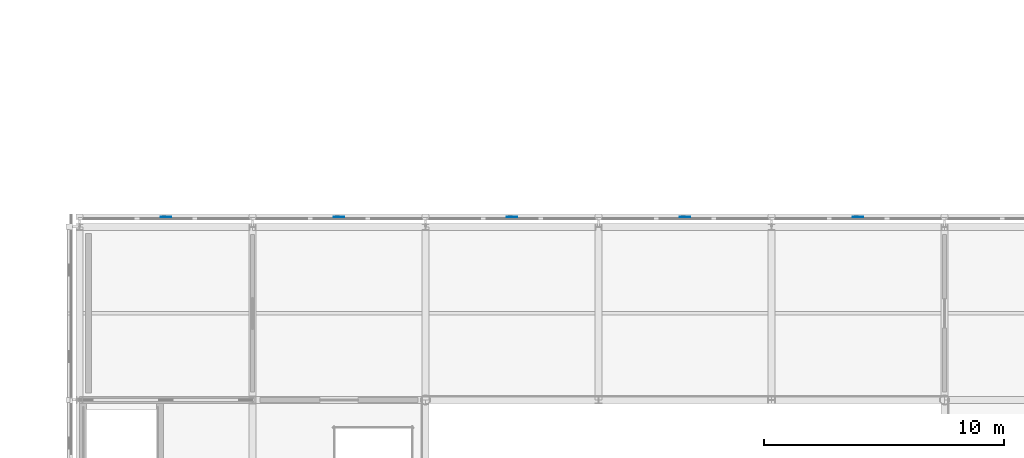
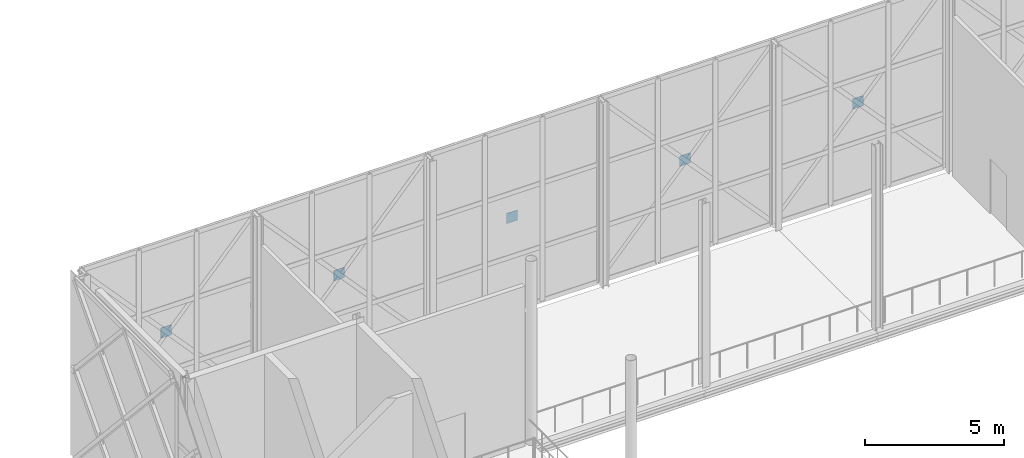
# One storey, part 61 of 76: 5 plates.
"""IFC4 building model written with IfcOpenShell, lengths in metres."""

import ifcopenshell
import ifcopenshell.guid

model = None  # the IFC model being written
_history = None  # IfcOwnerHistory: only IFC2X3 demands one
_inside = {}  # id of a spatial element -> (the spatial element, [elements in it])
_under = {}  # id of a project, library or spatial element -> (it, [spatial elements below it])
_declared = {}  # id of a project -> (the project, [libraries it declares])
_typed = {}  # id of a type object -> (the type object, [elements of that type])
_made_of = {}  # id of a material, layer set ... -> (it, [elements and type objects made of it])


def new_model(schema):
    """Start an empty IFC model of exactly this schema.

    Asked for "IFC4X3", IfcOpenShell would pick the latest addendum, in which some entities
    have other attributes; the version numbers below select the first issue.
    IFC2X3 requires an IfcOwnerHistory on every rooted entity: one is made here for all.
    """
    global model, _history
    if schema == "IFC4X3":
        model = ifcopenshell.file(schema_version=(4, 3, 0, 0))
    else:
        model = ifcopenshell.file(schema=schema)
    _inside.clear()
    _under.clear()
    _declared.clear()
    _typed.clear()
    _made_of.clear()
    _history = None
    if model.schema == "IFC2X3":
        org = make("IfcOrganization", Name="unknown")
        user = make(
            "IfcPersonAndOrganization",
            ThePerson=make("IfcPerson", FamilyName="unknown"),
            TheOrganization=org,
        )
        app = make(
            "IfcApplication",
            ApplicationDeveloper=org,
            Version="unknown",
            ApplicationFullName="unknown",
            ApplicationIdentifier="unknown",
        )
        _history = make(
            "IfcOwnerHistory",
            OwningUser=user,
            OwningApplication=app,
            ChangeAction="ADDED",
            CreationDate=0,
        )
    return model


def make(cls, **values):
    """One entity of the class cls with the attributes given. An attribute that is None is left unset."""
    return model.create_entity(
        cls, **{name: value for name, value in values.items() if value is not None}
    )


def rooted(cls, **values):
    """An entity with a GlobalId (a new one), such as an element, a storey or a relation."""
    return make(cls, GlobalId=ifcopenshell.guid.new(), OwnerHistory=_history, **values)


def si_unit(unit_type, name, prefix=None):
    """IfcSIUnit, for example si_unit("LENGTHUNIT", "METRE", prefix="MILLI")."""
    return make("IfcSIUnit", UnitType=unit_type, Prefix=prefix, Name=name)


def assignment(units):
    """IfcUnitAssignment: the units of a project."""
    return None if units is None else make("IfcUnitAssignment", Units=units)


def point(xyz):
    """IfcCartesianPoint."""
    return None if xyz is None else make("IfcCartesianPoint", Coordinates=xyz)


def direction(xyz):
    """IfcDirection."""
    return None if xyz is None else make("IfcDirection", DirectionRatios=xyz)


def frame(location, z_axis=None, x_axis=None):
    """IfcAxis2Placement3D, a coordinate frame: its origin and axes. An axis left out is left unset."""
    return make(
        "IfcAxis2Placement3D",
        Location=point(location),
        Axis=direction(z_axis),
        RefDirection=direction(x_axis),
    )


def frame_2d(location, x_axis=None):
    """IfcAxis2Placement2D, a coordinate frame in the plane: its origin and x axis."""
    return make(
        "IfcAxis2Placement2D", Location=point(location), RefDirection=direction(x_axis)
    )


def origin():
    """The frame at (0, 0, 0) with its axes left unset."""
    return frame((0.0, 0.0, 0.0))


def origin_2d():
    """The frame at (0, 0) in the plane with its x axis left unset."""
    return frame_2d((0.0, 0.0))


def place(relative_to, where):
    """IfcLocalPlacement: puts the frame where relative to a parent placement (None: the world)."""
    return make(
        "IfcLocalPlacement", PlacementRelTo=relative_to, RelativePlacement=where
    )


def context(
    kind, dimensions, precision=None, world=None, true_north=None, identifier=None
):
    """IfcGeometricRepresentationContext, for example the 3D "Model" context."""
    return make(
        "IfcGeometricRepresentationContext",
        ContextIdentifier=identifier,
        ContextType=kind,
        CoordinateSpaceDimension=dimensions,
        Precision=precision,
        WorldCoordinateSystem=world,
        TrueNorth=true_north,
    )


def subcontext(parent, identifier, kind, view, scale=None):
    """IfcGeometricRepresentationSubContext, for example "Body" below "Model"."""
    return make(
        "IfcGeometricRepresentationSubContext",
        ContextIdentifier=identifier,
        ContextType=kind,
        ParentContext=parent,
        TargetScale=scale,
        TargetView=view,
    )


def project(units=None, contexts=None):
    """IfcProject with its units and contexts."""
    return rooted(
        "IfcProject",
        Name="project",
        RepresentationContexts=contexts,
        UnitsInContext=assignment(units),
    )


def spatial(cls, under=None, at=None, **own):
    """A site, building, storey or space (cls), placed at a placement, below another one or the project."""
    s = rooted(cls, ObjectPlacement=at, **own)
    if under is not None:
        _under.setdefault(under.id(), (under, []))[1].append(s)
    return s


def profile(cls, at=None, kind="AREA", **sizes):
    """A parametric profile (cls). Its sizes go by their IFC names, for example OverallWidth=200.0."""
    return make(cls, ProfileType=kind, Position=at, **sizes)


def rectangle(**sizes):
    """IfcRectangleProfileDef."""
    return profile("IfcRectangleProfileDef", **sizes)


def extrude(swept, where, along, depth):
    """IfcExtrudedAreaSolid: the profile swept, set in the frame where, extruded along a direction by depth."""
    return make(
        "IfcExtrudedAreaSolid",
        SweptArea=swept,
        Position=where,
        ExtrudedDirection=direction(along),
        Depth=depth,
    )


def shape(context_of_items, identifier, shape_type, items):
    """IfcShapeRepresentation: the items that make up one representation, for example the "Body"."""
    return make(
        "IfcShapeRepresentation",
        ContextOfItems=context_of_items,
        RepresentationIdentifier=identifier,
        RepresentationType=shape_type,
        Items=items,
    )


def material(Name=None, Category=None):
    """IfcMaterial."""
    return make("IfcMaterial", Name=Name, Category=Category)


def layer(
    of_material, thickness, ventilated=None, Name=None, Category=None, Priority=None
):
    """IfcMaterialLayer: one layer of a wall or slab, of a material (None: an air gap)."""
    return make(
        "IfcMaterialLayer",
        Material=of_material,
        LayerThickness=thickness,
        IsVentilated=ventilated,
        Name=Name,
        Category=Category,
        Priority=Priority,
    )


def layer_set(layers, Name=None):
    """IfcMaterialLayerSet."""
    return make("IfcMaterialLayerSet", MaterialLayers=layers, LayerSetName=Name)


def made_of(thing, what):
    """Note that an element or type object is made of a material, layer set ...; save() writes the relation."""
    if what is not None:
        _made_of.setdefault(what.id(), (what, []))[1].append(thing)
    return thing


def type_object(cls, material=None, **own):
    """A type object (cls), such as IfcWallType, which elements share."""
    return made_of(rooted(cls, **own), material)


def element(
    cls,
    number,
    at=None,
    inside=None,
    cuts=None,
    type_object=None,
    material=None,
    context=None,
    identifier="Body",
    shape_type=None,
    held_by="IfcProductDefinitionShape",
    body=None,
    shapes=None,
    **own,
):
    """One element of the class cls, such as IfcWall. Its Tag is "e" and its number.

    at: its placement. inside: the storey or other place that contains it. cuts: it is an
    opening in that element (IfcRelVoidsElement). A single representation is given by context,
    identifier, shape_type and body (its items); several are given by shapes. held_by: the class
    of the entity that holds the representations. save() writes the other relations.
    """
    e = rooted(cls, Tag="e%d" % number, ObjectPlacement=at, **own)
    if body is not None:
        shapes = [shape(context, identifier, shape_type, body)]
    if shapes is not None:
        e.Representation = make(held_by, Representations=shapes)
    if inside is not None:
        _inside.setdefault(inside.id(), (inside, []))[1].append(e)
    if cuts is not None:
        rooted(
            "IfcRelVoidsElement", RelatingBuildingElement=cuts, RelatedOpeningElement=e
        )
    if type_object is not None:
        _typed.setdefault(type_object.id(), (type_object, []))[1].append(e)
    return made_of(e, material)


def aggregate(whole, parts):
    """IfcRelAggregates: a whole, such as a stair, and the parts it consists of."""
    return rooted("IfcRelAggregates", RelatingObject=whole, RelatedObjects=parts)


def save(model, path):
    """Write the relations noted so far, then the file.

    IfcRelAggregates (storeys below a building ...), IfcRelContainedInSpatialStructure (elements
    in a storey), IfcRelDefinesByType, IfcRelAssociatesMaterial and IfcRelDeclares: one each for
    every whole, place, type object, material and project.
    """
    for whole, parts in _under.values():
        aggregate(whole, parts)
    for where, things in _inside.values():
        rooted(
            "IfcRelContainedInSpatialStructure",
            RelatedElements=things,
            RelatingStructure=where,
        )
    for kind, things in _typed.values():
        rooted("IfcRelDefinesByType", RelatedObjects=things, RelatingType=kind)
    for what, things in _made_of.values():
        rooted("IfcRelAssociatesMaterial", RelatedObjects=things, RelatingMaterial=what)
    for by, libraries in _declared.values():
        rooted("IfcRelDeclares", RelatingContext=by, RelatedDefinitions=libraries)
    model.write(path)


model = new_model("IFC4")

# Units and contexts
model_context = context("Model", 3, precision=1e-05, world=origin(), true_north=direction((0.0, 1.0)))
body_context = subcontext(model_context, "Body", "Model", "MODEL_VIEW")
ifc_project = project(units=[si_unit("LENGTHUNIT", "METRE"), si_unit("AREAUNIT", "SQUARE_METRE"), si_unit("VOLUMEUNIT", "CUBIC_METRE"), si_unit("PLANEANGLEUNIT", "RADIAN"), si_unit("MASSUNIT", "GRAM", prefix="KILO")], contexts=[model_context])

# Site, building, storey
site_placement = place(None, origin())
site = spatial("IfcSite", under=ifc_project, at=site_placement, CompositionType="ELEMENT")
building_placement = place(site_placement, origin())
building = spatial("IfcBuilding", under=site, at=building_placement, Name="Zlatovets Crest Museum", CompositionType="ELEMENT")
storey_placement = place(building_placement, frame((0.0, 0.0, 17.10009765625)))
storey = spatial("IfcBuildingStorey", under=building, at=storey_placement, Name="L04", CompositionType="ELEMENT", Elevation=17.10009765625)

# Plates
ifc_material = material(Name="Structural steel S355J2", Category="steel")
ifc_layer = layer(ifc_material, 0.02001953125)
ifc_layer_set = layer_set([ifc_layer], Name="Structural steel S355J2")
plate_type = type_object("IfcPlateType", Name="Gusset_GP-04", PredefinedType="USERDEFINED", material=ifc_layer_set)
for number, where, z_axis, x_axis, name in (
    (1, (90.0, 29.219970703125, 3.82470703125), (0.0, 0.0, 1.0), (1.0, 0.0, 0.0), "X-Brace Crossing Node Gusset Plate GP-04"),
    (2, (82.800048828125, 29.219970703125, 3.82470703125), (0.0, 0.0, 1.0), (1.0, 0.0, 0.0), "X-Brace Crossing Node Gusset Plate GP-04"),
    (3, (75.60009765625, 29.219970703125, 3.82470703125), (0.0, 0.0, 1.0), (1.0, 0.0, 0.0), "X-Brace Crossing Node Gusset Plate GP-04"),
    (4, (68.39990234375, 29.219970703125, 3.82470703125), (0.0, 0.0, 1.0), (1.0, 0.0, 0.0), "X-Brace Crossing Node Gusset Plate GP-04"),
    (5, (61.199951171875, 29.219970703125, 3.82470703125), (0.0, 0.0, 1.0), (1.0, 0.0, 0.0), "X-Brace Crossing Node Gusset Plate GP-04"),
):
    element("IfcPlate", number, at=place(storey_placement, frame(where, z_axis=z_axis, x_axis=x_axis)), inside=storey, type_object=plate_type, Name=name, ObjectType="GUSSET", PredefinedType="USERDEFINED", context=body_context, shape_type="SweptSolid", body=[
        extrude(rectangle(XDim=0.449951171875, YDim=0.02001953125, at=origin_2d()), origin(), (0.0, 0.0, 1.0), 0.449951171875),
    ])

save(model, "model.ifc")
